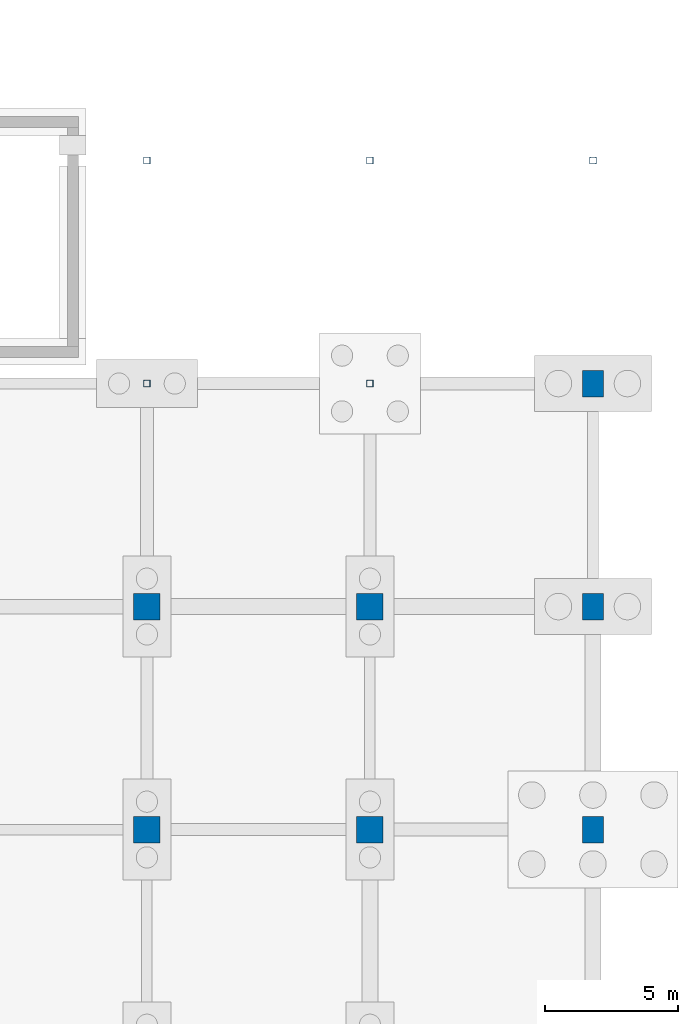
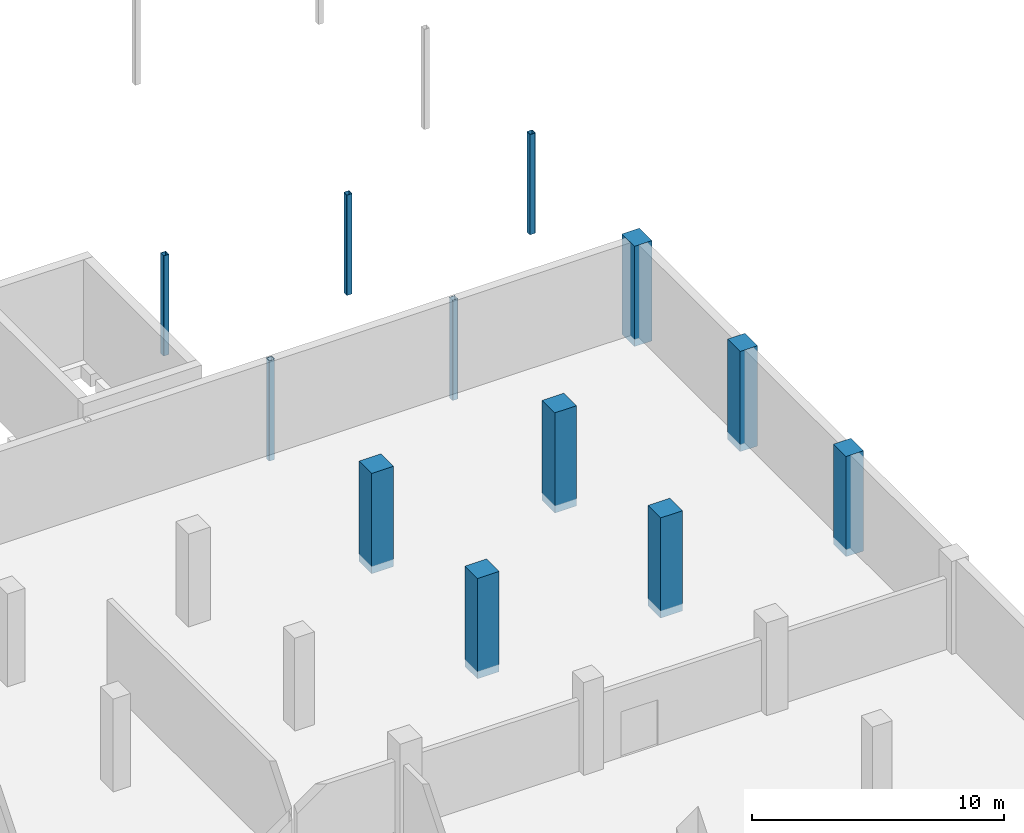
# One storey, part 25 of 39: 12 columns.
"""IFC4 building model written with IfcOpenShell, lengths in metres."""

from ifc_helpers import new_model, si_unit, derived_unit, direction, frame, origin, origin_2d, place, context, subcontext, project, spatial, rectangle, hollow_rectangle, extrude, material, material_profile, profile_set, type_object, element, save


model = new_model("IFC4")

# Units and contexts
model_context = context("Model", 3, precision=1e-05, world=origin(), true_north=direction((0.0, 1.0)))
body_context = subcontext(model_context, "Body", "Model", "MODEL_VIEW")
ifc_project = project(units=[si_unit("LENGTHUNIT", "METRE"), si_unit("AREAUNIT", "SQUARE_METRE"), si_unit("VOLUMEUNIT", "CUBIC_METRE"), si_unit("PLANEANGLEUNIT", "RADIAN"), si_unit("MASSUNIT", "GRAM", prefix="KILO"), derived_unit("THERMALTRANSMITTANCEUNIT", [(si_unit("POWERUNIT", "WATT"), 1), (si_unit("LENGTHUNIT", "METRE"), -2), (si_unit("THERMODYNAMICTEMPERATUREUNIT", "KELVIN"), -1)])], contexts=[model_context])

# Site, building, storey
site_placement = place(None, origin())
site = spatial("IfcSite", under=ifc_project, at=site_placement, CompositionType="ELEMENT")
building_placement = place(site_placement, origin())
building = spatial("IfcBuilding", under=site, at=building_placement, Name="Barrovel Congress Hotel", CompositionType="ELEMENT")
storey_placement = place(building_placement, frame((0.0, 0.0, -4.5)))
storey = spatial("IfcBuildingStorey", under=building, at=storey_placement, Name="B01", CompositionType="ELEMENT", Elevation=-4.5)

# Columns
ifc_material_1 = material(Name="Concrete C50", Category="concrete")
ifc_material_profile_1 = material_profile(ifc_material_1, rectangle(XDim=1.0, YDim=1.0, at=origin_2d()), Name="RC1000x1000")
ifc_profile_set_1 = profile_set([ifc_material_profile_1], Name="Concrete C50")
column_type_1 = type_object("IfcColumnType", Name="COL-RC1000x1000", PredefinedType="COLUMN", material=ifc_profile_set_1)
for number, where, z_axis, x_axis, name in (
    (1, (159.60009765625, 63.0, -0.360107421875), (0.0, 0.0, 1.0), (1.0, 0.0, 0.0), "COL:B01:159.6:63.0"),
    (2, (159.60009765625, 71.39990234375, -0.360107421875), (0.0, 0.0, 1.0), (1.0, 0.0, 0.0), "COL:B01:159.6:71.4"),
    (3, (168.0, 63.0, -0.360107421875), (0.0, 0.0, 1.0), (1.0, 0.0, 0.0), "COL:B01:168.0:63.0"),
    (4, (168.0, 71.39990234375, -0.360107421875), (0.0, 0.0, 1.0), (1.0, 0.0, 0.0), "COL:B01:168.0:71.4"),
):
    element("IfcColumn", number, at=place(storey_placement, frame(where, z_axis=z_axis, x_axis=x_axis)), inside=storey, type_object=column_type_1, Name=name, PredefinedType="COLUMN", context=body_context, shape_type="SweptSolid", body=[
        extrude(rectangle(XDim=1.0, YDim=1.0, at=origin_2d()), origin(), (0.0, 0.0, 1.0), 4.860107421875),
    ])
ifc_material_2 = material(Name="Concrete C40", Category="concrete")
ifc_material_profile_2 = material_profile(ifc_material_2, rectangle(XDim=0.800048828125, YDim=1.0, at=origin_2d()), Name="RC800x1000")
ifc_profile_set_2 = profile_set([ifc_material_profile_2], Name="Concrete C40")
column_type_2 = type_object("IfcColumnType", Name="COL-RC800x1000", PredefinedType="COLUMN", material=ifc_profile_set_2)
for number, where, z_axis, x_axis, name in (
    (5, (176.39990234375, 63.0, -0.360107421875), (0.0, 0.0, 1.0), (1.0, 0.0, 0.0), "COL:B01:176.4:63.0"),
    (6, (176.39990234375, 71.39990234375, -0.360107421875), (0.0, 0.0, 1.0), (1.0, 0.0, 0.0), "COL:B01:176.4:71.4"),
    (7, (176.39990234375, 79.800048828125, -0.360107421875), (0.0, 0.0, 1.0), (1.0, 0.0, 0.0), "COL:B01:176.4:79.8"),
):
    element("IfcColumn", number, at=place(storey_placement, frame(where, z_axis=z_axis, x_axis=x_axis)), inside=storey, type_object=column_type_2, Name=name, PredefinedType="COLUMN", context=body_context, shape_type="SweptSolid", body=[
        extrude(rectangle(XDim=0.800048828125, YDim=1.0, at=origin_2d()), origin(), (0.0, 0.0, 1.0), 4.860107421875),
    ])
ifc_material_3 = material(Name="Steel ASTM A500 Grade C", Category="steel")
ifc_material_profile_3 = material_profile(ifc_material_3, hollow_rectangle(XDim=0.25390625, YDim=0.25390625, WallThickness=0.01171875, InnerFilletRadius=0.01171875, OuterFilletRadius=0.023681640625, at=origin_2d()), Name="HSS254x254x12.7")
ifc_profile_set_3 = profile_set([ifc_material_profile_3], Name="Steel ASTM A500 Grade C")
column_type_3 = type_object("IfcColumnType", Name="SCOL-HSS254x254x12.7", PredefinedType="COLUMN", material=ifc_profile_set_3)
for number, where, z_axis, x_axis, name in (
    (8, (159.60009765625, 79.800048828125, -0.360107421875), (0.0, 0.0, 1.0), (1.0, 0.0, 0.0), "COL:B01:159.6:79.8"),
    (9, (159.60009765625, 88.199951171875, -0.360107421875), (0.0, 0.0, 1.0), (1.0, 0.0, 0.0), "COL:B01:159.6:88.2"),
    (10, (168.0, 79.800048828125, -0.360107421875), (0.0, 0.0, 1.0), (1.0, 0.0, 0.0), "COL:B01:168.0:79.8"),
    (11, (168.0, 88.199951171875, -0.360107421875), (0.0, 0.0, 1.0), (1.0, 0.0, 0.0), "COL:B01:168.0:88.2"),
    (12, (176.39990234375, 88.199951171875, -0.360107421875), (0.0, 0.0, 1.0), (1.0, 0.0, 0.0), "COL:B01:176.4:88.2"),
):
    element("IfcColumn", number, at=place(storey_placement, frame(where, z_axis=z_axis, x_axis=x_axis)), inside=storey, type_object=column_type_3, Name=name, PredefinedType="COLUMN", context=body_context, shape_type="SweptSolid", body=[
        extrude(hollow_rectangle(XDim=0.25390625, YDim=0.25390625, WallThickness=0.01171875, InnerFilletRadius=0.01171875, OuterFilletRadius=0.023681640625, at=origin_2d()), origin(), (0.0, 0.0, 1.0), 4.860107421875),
    ])

save(model, "model.ifc")
